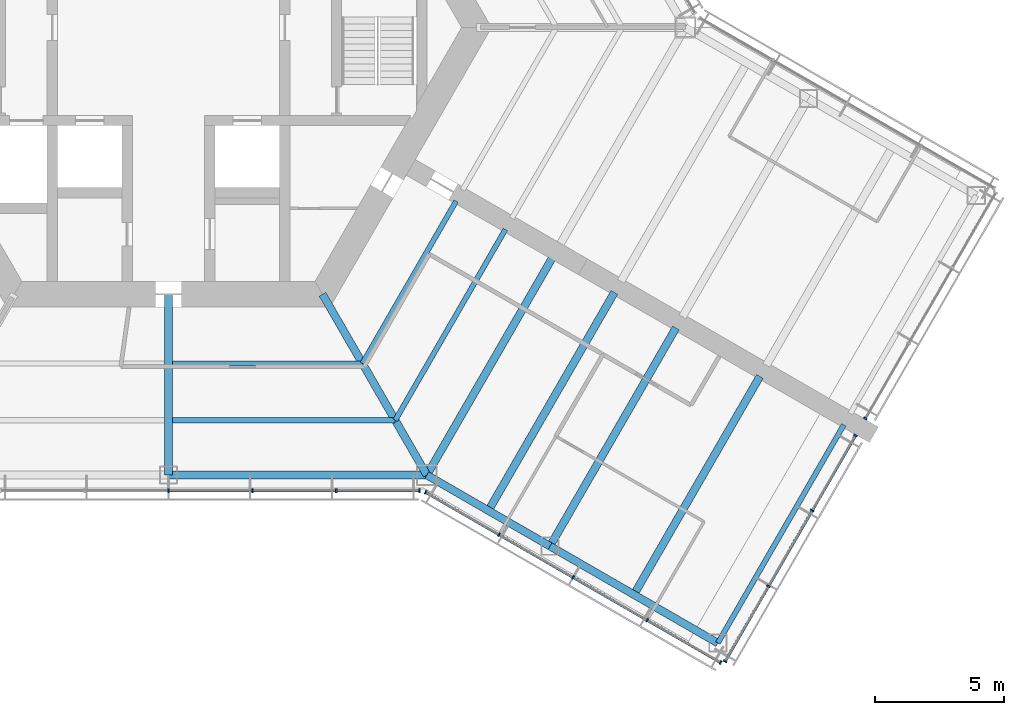
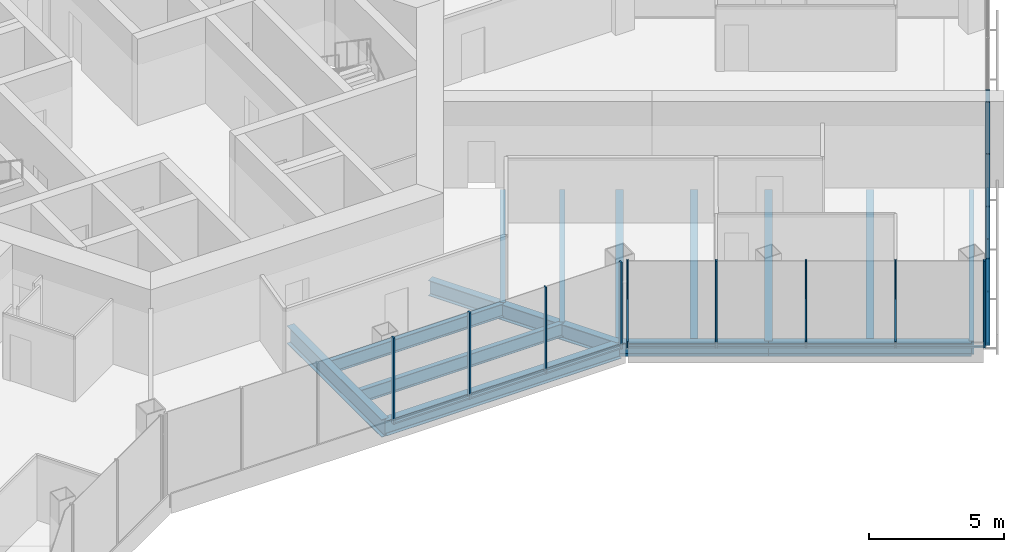
# One storey, part 5 of 18: 24 members, 14 beams, 4 elements without a shape of their own.
"""IFC4 building model written with IfcOpenShell, lengths in metres."""

from ifc_helpers import new_model, si_unit, direction, frame, origin, origin_2d, place, context, subcontext, project, spatial, rectangle, i_section, extrude, material, material_profile, profile_set, type_object, element, aggregate, save


model = new_model("IFC4")

# Units and contexts
model_context = context("Model", 3, precision=1e-05, world=origin(), true_north=direction((0.0, 1.0)))
body_context = subcontext(model_context, "Body", "Model", "MODEL_VIEW")
ifc_project = project(units=[si_unit("LENGTHUNIT", "METRE"), si_unit("AREAUNIT", "SQUARE_METRE"), si_unit("VOLUMEUNIT", "CUBIC_METRE"), si_unit("PLANEANGLEUNIT", "RADIAN"), si_unit("MASSUNIT", "GRAM", prefix="KILO")], contexts=[model_context])

# Site, building, storey
site_placement = place(None, origin())
site = spatial("IfcSite", under=ifc_project, at=site_placement, CompositionType="ELEMENT")
building_placement = place(site_placement, origin())
building = spatial("IfcBuilding", under=site, at=building_placement, Name="Kasaneha Research Tower", CompositionType="ELEMENT")
storey_placement = place(building_placement, frame((0.0, 0.0, 144.800048828125)))
storey = spatial("IfcBuildingStorey", under=building, at=storey_placement, Name="L36", CompositionType="ELEMENT", Elevation=144.800048828125)

# Beams
ifc_material_1 = material(Name="Steel SN490B", Category="steel")
ifc_material_profile_1 = material_profile(ifc_material_1, i_section(OverallWidth=0.199951171875, OverallDepth=0.60009765625, WebThickness=0.010986328125, FlangeThickness=0.01708984375, FilletRadius=0.012939453125, at=origin_2d()), Name="H-600x200x11x17")
ifc_profile_set_1 = profile_set([ifc_material_profile_1], Name="Steel SN490B")
beam_type_1 = type_object("IfcBeamType", Name="B1-3 secondary beam H-600x200x11x17", PredefinedType="JOIST", material=ifc_profile_set_1)
beam_1_placement = place(storey_placement, frame((7.505615234375, -13.0, -0.449951171875), z_axis=(-1.0, 0.0, 0.0), x_axis=(0.0, -1.0, 0.0)))
element("IfcBeam", 1, at=beam_1_placement, inside=storey, type_object=beam_type_1, Name="Secondary beam RS270R1 L36", PredefinedType="JOIST", context=body_context, shape_type="SweptSolid", body=[
    extrude(i_section(OverallWidth=0.199951171875, OverallDepth=0.60009765625, WebThickness=0.010986328125, FlangeThickness=0.01708984375, FilletRadius=0.012939453125, at=origin_2d()), origin(), (0.0, 0.0, 1.0), 7.355712890625),
])
beam_2_placement = place(storey_placement, frame((8.775634765625, -15.199951171875, -0.449951171875), z_axis=(-1.0, 0.0, 0.0), x_axis=(0.0, -1.0, 0.0)))
element("IfcBeam", 2, at=beam_2_placement, inside=storey, type_object=beam_type_1, Name="Secondary beam RS270R2 L36", PredefinedType="JOIST", context=body_context, shape_type="SweptSolid", body=[
    extrude(i_section(OverallWidth=0.199951171875, OverallDepth=0.60009765625, WebThickness=0.010986328125, FlangeThickness=0.01708984375, FilletRadius=0.012939453125, at=origin_2d()), origin(), (0.0, 0.0, 1.0), 8.625732421875),
])
beam_3_placement = place(storey_placement, frame((7.505615234375, -13.0, -0.449951171875), z_axis=(0.499993340521, 0.866029248602, 0.0), x_axis=(-0.866029248602, 0.499993340521, 0.0)))
element("IfcBeam", 3, at=beam_3_placement, inside=storey, type_object=beam_type_1, Name="Secondary beam RS330L1 L36", PredefinedType="JOIST", context=body_context, shape_type="SweptSolid", body=[
    extrude(i_section(OverallWidth=0.199951171875, OverallDepth=0.60009765625, WebThickness=0.010986328125, FlangeThickness=0.01708984375, FilletRadius=0.012939453125, at=origin_2d()), origin(), (0.0, 0.0, 1.0), 7.25537109375),
])
beam_4_placement = place(storey_placement, frame((8.775634765625, -15.199951171875, -0.449951171875), z_axis=(0.500004205306, 0.866022975836, 0.0), x_axis=(-0.866022975836, 0.500004205306, 0.0)))
element("IfcBeam", 4, at=beam_4_placement, inside=storey, type_object=beam_type_1, Name="Secondary beam RS330L2 L36", PredefinedType="JOIST", context=body_context, shape_type="SweptSolid", body=[
    extrude(i_section(OverallWidth=0.199951171875, OverallDepth=0.60009765625, WebThickness=0.010986328125, FlangeThickness=0.01708984375, FilletRadius=0.012939453125, at=origin_2d()), origin(), (0.0, 0.0, 1.0), 8.52587890625),
])
ifc_material_2 = material(Name="Steel SN490B", Category="steel")
ifc_material_profile_2 = material_profile(ifc_material_2, i_section(OverallWidth=0.300048828125, OverallDepth=0.58203125, WebThickness=0.011962890625, FlangeThickness=0.01708984375, FilletRadius=0.012939453125, at=origin_2d()), Name="H-582x300x12x17")
ifc_profile_set_2 = profile_set([ifc_material_profile_2], Name="Steel SN490B")
beam_type_2 = type_object("IfcBeamType", Name="B2-3 secondary beam H-582x300x12x17", PredefinedType="JOIST", material=ifc_profile_set_2)
for number, where, z_axis, x_axis, name in (
    (5, (12.381591796875, -18.695556640625, -0.441162109375), (0.499995560238, 0.866027967067, 0.0), (-0.866027967067, 0.499995560238, 0.0), "Secondary beam WBCP1 L36"),
    (6, (18.0107421875, -21.945556640625, -0.441162109375), (0.499995560238, 0.866027967067, 0.0), (-0.866027967067, 0.499995560238, 0.0), "Secondary beam WBCP2 L36"),
):
    element("IfcBeam", number, at=place(storey_placement, frame(where, z_axis=z_axis, x_axis=x_axis)), inside=storey, type_object=beam_type_2, Name=name, PredefinedType="JOIST", context=body_context, shape_type="SweptSolid", body=[
        extrude(i_section(OverallWidth=0.300048828125, OverallDepth=0.58203125, WebThickness=0.011962890625, FlangeThickness=0.01708984375, FilletRadius=0.012939453125, at=origin_2d()), origin(), (0.0, 0.0, 1.0), 9.75),
    ])

# Curtain wall, members
ifc_material_3 = material(Name="Glass and aluminium", Category="aluminium")
curtain_wall_type = type_object("IfcCurtainWallType", Name="Mid-rise office curtain wall", PredefinedType="USERDEFINED", material=ifc_material_3)
curtain_wall_1_placement = place(storey_placement, origin())
curtain_wall_1 = element("IfcCurtainWall", 7, at=curtain_wall_1_placement, inside=storey, type_object=curtain_wall_type, Name="CW-O2 L36 run 01a", ObjectType="UNITISED CURTAIN WALL", PredefinedType="USERDEFINED")
ifc_material_4 = material(Name="Aluminium 6063-T6", Category="aluminium")
ifc_material_profile_3 = material_profile(ifc_material_4, rectangle(XDim=0.06005859375, YDim=0.14990234375, at=origin_2d()), Name="CW-O2 mullion 60x150")
ifc_profile_set_3 = profile_set([ifc_material_profile_3], Name="Aluminium 6063-T6")
member_type_1 = type_object("IfcMemberType", Name="CW-O2 mullion", PredefinedType="MULLION", material=ifc_profile_set_3)
member_1_placement = place(storey_placement, frame((0.0, -17.92041015625, 0.0), z_axis=(0.0, 0.0, 1.0), x_axis=(1.0, 0.0, 0.0)))
member_1 = element("IfcMember", 8, at=member_1_placement, type_object=member_type_1, Name="CW-O2 mullion 4", PredefinedType="MULLION", context=body_context, shape_type="SweptSolid", body=[
    extrude(rectangle(XDim=0.06005859375, YDim=0.14990234375, at=origin_2d()), origin(), (0.0, 0.0, 1.0), 3.89990234375),
])
member_2_placement = place(storey_placement, frame((3.246337890625, -17.92041015625, 0.0), z_axis=(0.0, 0.0, 1.0), x_axis=(1.0, 0.0, 0.0)))
member_2 = element("IfcMember", 9, at=member_2_placement, type_object=member_type_1, Name="CW-O2 mullion 5", PredefinedType="MULLION", context=body_context, shape_type="SweptSolid", body=[
    extrude(rectangle(XDim=0.06005859375, YDim=0.14990234375, at=origin_2d()), origin(), (0.0, 0.0, 1.0), 3.89990234375),
])
member_3_placement = place(storey_placement, frame((6.492919921875, -17.92041015625, 0.0), z_axis=(0.0, 0.0, 1.0), x_axis=(1.0, 0.0, 0.0)))
member_3 = element("IfcMember", 10, at=member_3_placement, type_object=member_type_1, Name="CW-O2 mullion 6", PredefinedType="MULLION", context=body_context, shape_type="SweptSolid", body=[
    extrude(rectangle(XDim=0.06005859375, YDim=0.14990234375, at=origin_2d()), origin(), (0.0, 0.0, 1.0), 3.89990234375),
])
member_4_placement = place(storey_placement, frame((9.709228515625, -17.92041015625, 0.0), z_axis=(0.0, 0.0, 1.0), x_axis=(1.0, 0.0, 0.0)))
member_4 = element("IfcMember", 11, at=member_4_placement, type_object=member_type_1, Name="CW-O2 mullion 7", PredefinedType="MULLION", context=body_context, shape_type="SweptSolid", body=[
    extrude(rectangle(XDim=0.06005859375, YDim=0.14990234375, at=origin_2d()), origin(), (0.0, 0.0, 1.0), 3.89990234375),
])

curtain_wall_2_placement = place(storey_placement, origin())
curtain_wall_2 = element("IfcCurtainWall", 12, at=curtain_wall_2_placement, inside=storey, type_object=curtain_wall_type, Name="CW-O2 L36 run 02a", ObjectType="UNITISED CURTAIN WALL", PredefinedType="USERDEFINED")
member_5_placement = place(storey_placement, frame((9.951904296875, -17.985595703125, 0.0), z_axis=(0.0, 0.0, 1.0), x_axis=(0.866025411464, -0.499999986699, 0.0)))
member_5 = element("IfcMember", 13, at=member_5_placement, type_object=member_type_1, Name="CW-O2 mullion 1", PredefinedType="MULLION", context=body_context, shape_type="SweptSolid", body=[
    extrude(rectangle(XDim=0.06005859375, YDim=0.14990234375, at=origin_2d()), origin(), (0.0, 0.0, 1.0), 3.89990234375),
])
member_6_placement = place(storey_placement, frame((12.792236328125, -19.62548828125, 0.0), z_axis=(0.0, 0.0, 1.0), x_axis=(0.866025411464, -0.499999986699, 0.0)))
member_6 = element("IfcMember", 14, at=member_6_placement, type_object=member_type_1, Name="CW-O2 mullion 2", PredefinedType="MULLION", context=body_context, shape_type="SweptSolid", body=[
    extrude(rectangle(XDim=0.06005859375, YDim=0.14990234375, at=origin_2d()), origin(), (0.0, 0.0, 1.0), 3.89990234375),
])
member_7_placement = place(storey_placement, frame((15.65869140625, -21.2802734375, 0.0), z_axis=(0.0, 0.0, 1.0), x_axis=(0.866025411464, -0.499999986699, 0.0)))
member_7 = element("IfcMember", 15, at=member_7_placement, type_object=member_type_1, Name="CW-O2 mullion 3", PredefinedType="MULLION", context=body_context, shape_type="SweptSolid", body=[
    extrude(rectangle(XDim=0.06005859375, YDim=0.14990234375, at=origin_2d()), origin(), (0.0, 0.0, 1.0), 3.89990234375),
])
member_8_placement = place(storey_placement, frame((18.52490234375, -22.935302734375, 0.0), z_axis=(0.0, 0.0, 1.0), x_axis=(0.866025411464, -0.499999986699, 0.0)))
member_8 = element("IfcMember", 16, at=member_8_placement, type_object=member_type_1, Name="CW-O2 mullion 4", PredefinedType="MULLION", context=body_context, shape_type="SweptSolid", body=[
    extrude(rectangle(XDim=0.06005859375, YDim=0.14990234375, at=origin_2d()), origin(), (0.0, 0.0, 1.0), 3.89990234375),
])
member_9_placement = place(storey_placement, frame((21.365478515625, -24.5751953125, 0.0), z_axis=(0.0, 0.0, 1.0), x_axis=(0.866025411464, -0.499999986699, 0.0)))
member_9 = element("IfcMember", 17, at=member_9_placement, type_object=member_type_1, Name="CW-O2 mullion 5", PredefinedType="MULLION", context=body_context, shape_type="SweptSolid", body=[
    extrude(rectangle(XDim=0.06005859375, YDim=0.14990234375, at=origin_2d()), origin(), (0.0, 0.0, 1.0), 3.89990234375),
])

curtain_wall_3_placement = place(storey_placement, origin())
curtain_wall_3 = element("IfcCurtainWall", 18, at=curtain_wall_3_placement, inside=storey, type_object=curtain_wall_type, Name="CW-O2 L36 run 03a", ObjectType="UNITISED CURTAIN WALL", PredefinedType="USERDEFINED")
member_10_placement = place(storey_placement, frame((21.54296875, -24.527587890625, 0.0), z_axis=(0.0, 0.0, 1.0), x_axis=(0.500000011442, 0.866025397178, 0.0)))
member_10 = element("IfcMember", 19, at=member_10_placement, type_object=member_type_1, Name="CW-O2 mullion 1", PredefinedType="MULLION", context=body_context, shape_type="SweptSolid", body=[
    extrude(rectangle(XDim=0.06005859375, YDim=0.14990234375, at=origin_2d()), origin(), (0.0, 0.0, 1.0), 3.89990234375),
])
member_11_placement = place(storey_placement, frame((23.2197265625, -21.62353515625, 0.0), z_axis=(0.0, 0.0, 1.0), x_axis=(0.500000011442, 0.866025397178, 0.0)))
member_11 = element("IfcMember", 20, at=member_11_placement, type_object=member_type_1, Name="CW-O2 mullion 2", PredefinedType="MULLION", context=body_context, shape_type="SweptSolid", body=[
    extrude(rectangle(XDim=0.06005859375, YDim=0.14990234375, at=origin_2d()), origin(), (0.0, 0.0, 1.0), 3.89990234375),
])
member_12_placement = place(storey_placement, frame((24.911376953125, -18.693359375, 0.0), z_axis=(0.0, 0.0, 1.0), x_axis=(0.500000011442, 0.866025397178, 0.0)))
member_12 = element("IfcMember", 21, at=member_12_placement, type_object=member_type_1, Name="CW-O2 mullion 3", PredefinedType="MULLION", context=body_context, shape_type="SweptSolid", body=[
    extrude(rectangle(XDim=0.06005859375, YDim=0.14990234375, at=origin_2d()), origin(), (0.0, 0.0, 1.0), 3.89990234375),
])
member_13_placement = place(storey_placement, frame((26.587890625, -15.789306640625, 0.0), z_axis=(0.0, 0.0, 1.0), x_axis=(0.500000011442, 0.866025397178, 0.0)))
member_13 = element("IfcMember", 22, at=member_13_placement, type_object=member_type_1, Name="CW-O2 mullion 4", PredefinedType="MULLION", context=body_context, shape_type="SweptSolid", body=[
    extrude(rectangle(XDim=0.06005859375, YDim=0.14990234375, at=origin_2d()), origin(), (0.0, 0.0, 1.0), 3.89990234375),
])

# Curtain wall, member
curtain_wall_4_placement = place(storey_placement, origin())
curtain_wall_4 = element("IfcCurtainWall", 23, at=curtain_wall_4_placement, inside=storey, type_object=curtain_wall_type, Name="CW-O2 L36 run 04a", ObjectType="UNITISED CURTAIN WALL", PredefinedType="USERDEFINED")
member_14_placement = place(storey_placement, frame((26.968017578125, -15.131103515625, 0.0), z_axis=(0.0, 0.0, 1.0), x_axis=(0.500000011442, 0.866025397178, 0.0)))
member_14 = element("IfcMember", 24, at=member_14_placement, type_object=member_type_1, Name="CW-O2 mullion 1", PredefinedType="MULLION", context=body_context, shape_type="SweptSolid", body=[
    extrude(rectangle(XDim=0.06005859375, YDim=0.14990234375, at=origin_2d()), origin(), (0.0, 0.0, 1.0), 3.89990234375),
])
aggregate(curtain_wall_4, [member_14])

# Member
ifc_material_5 = material(Name="Aluminium 6063-T6", Category="aluminium")
ifc_material_profile_4 = material_profile(ifc_material_5, rectangle(XDim=0.110107421875, YDim=0.06005859375, at=origin_2d()), Name="CW-O2 transom 110x60")
ifc_profile_set_4 = profile_set([ifc_material_profile_4], Name="Aluminium 6063-T6")
member_type_2 = type_object("IfcMemberType", Name="CW-O2 transom", PredefinedType="USERDEFINED", material=ifc_profile_set_4)
member_15_placement = place(storey_placement, frame((0.030029296875, -17.92041015625, 0.030029296875), z_axis=(1.0, 0.0, 0.0), x_axis=(0.0, 1.0, 0.0)))
member_15 = element("IfcMember", 25, at=member_15_placement, type_object=member_type_2, Name="CW-O2 transom 4", ObjectType="TRANSOM", PredefinedType="USERDEFINED", context=body_context, shape_type="SweptSolid", body=[
    extrude(rectangle(XDim=0.110107421875, YDim=0.06005859375, at=origin_2d()), origin(), (0.0, 0.0, 1.0), 3.186279296875),
])

member_16_placement = place(storey_placement, frame((3.2763671875, -17.92041015625, 0.030029296875), z_axis=(1.0, 0.0, 0.0), x_axis=(0.0, 1.0, 0.0)))
member_16 = element("IfcMember", 26, at=member_16_placement, type_object=member_type_2, Name="CW-O2 transom 5", ObjectType="TRANSOM", PredefinedType="USERDEFINED", context=body_context, shape_type="SweptSolid", body=[
    extrude(rectangle(XDim=0.110107421875, YDim=0.06005859375, at=origin_2d()), origin(), (0.0, 0.0, 1.0), 3.1865234375),
])

member_17_placement = place(storey_placement, frame((6.522705078125, -17.92041015625, 0.030029296875), z_axis=(1.0, 0.0, 0.0), x_axis=(0.0, 1.0, 0.0)))
member_17 = element("IfcMember", 27, at=member_17_placement, type_object=member_type_2, Name="CW-O2 transom 6", ObjectType="TRANSOM", PredefinedType="USERDEFINED", context=body_context, shape_type="SweptSolid", body=[
    extrude(rectangle(XDim=0.110107421875, YDim=0.06005859375, at=origin_2d()), origin(), (0.0, 0.0, 1.0), 3.156494140625),
])

aggregate(curtain_wall_1, [member_1, member_2, member_3, member_4, member_15, member_16, member_17])

member_18_placement = place(storey_placement, frame((9.977783203125, -18.00048828125, 0.030029296875), z_axis=(0.866022692473, -0.500004696101, 0.0), x_axis=(0.500004696101, 0.866022692473, 0.0)))
member_18 = element("IfcMember", 28, at=member_18_placement, type_object=member_type_2, Name="CW-O2 transom 1", ObjectType="TRANSOM", PredefinedType="USERDEFINED", context=body_context, shape_type="SweptSolid", body=[
    extrude(rectangle(XDim=0.110107421875, YDim=0.06005859375, at=origin_2d()), origin(), (0.0, 0.0, 1.0), 3.2197265625),
])

member_19_placement = place(storey_placement, frame((12.818115234375, -19.640380859375, 0.030029296875), z_axis=(0.866015446554, -0.500017246033, 0.0), x_axis=(0.500017246033, 0.866015446554, 0.0)))
member_19 = element("IfcMember", 29, at=member_19_placement, type_object=member_type_2, Name="CW-O2 transom 2", ObjectType="TRANSOM", PredefinedType="USERDEFINED", context=body_context, shape_type="SweptSolid", body=[
    extrude(rectangle(XDim=0.110107421875, YDim=0.06005859375, at=origin_2d()), origin(), (0.0, 0.0, 1.0), 3.25),
])

member_20_placement = place(storey_placement, frame((15.6845703125, -21.29541015625, 0.030029296875), z_axis=(0.86604797581, -0.499960902066, 0.0), x_axis=(0.499960902066, 0.86604797581, 0.0)))
member_20 = element("IfcMember", 30, at=member_20_placement, type_object=member_type_2, Name="CW-O2 transom 3", ObjectType="TRANSOM", PredefinedType="USERDEFINED", context=body_context, shape_type="SweptSolid", body=[
    extrude(rectangle(XDim=0.110107421875, YDim=0.06005859375, at=origin_2d()), origin(), (0.0, 0.0, 1.0), 3.249755859375),
])

member_21_placement = place(storey_placement, frame((18.551025390625, -22.9501953125, 0.030029296875), z_axis=(0.866022692473, -0.500004696101, 0.0), x_axis=(0.500004696101, 0.866022692473, 0.0)))
member_21 = element("IfcMember", 31, at=member_21_placement, type_object=member_type_2, Name="CW-O2 transom 4", ObjectType="TRANSOM", PredefinedType="USERDEFINED", context=body_context, shape_type="SweptSolid", body=[
    extrude(rectangle(XDim=0.110107421875, YDim=0.06005859375, at=origin_2d()), origin(), (0.0, 0.0, 1.0), 3.2197265625),
])

aggregate(curtain_wall_2, [member_5, member_6, member_7, member_8, member_9, member_18, member_19, member_20, member_21])

member_22_placement = place(storey_placement, frame((21.557861328125, -24.50146484375, 0.030029296875), z_axis=(0.500021914551, 0.866012751043, 0.0), x_axis=(-0.866012751043, 0.500021914551, 0.0)))
member_22 = element("IfcMember", 32, at=member_22_placement, type_object=member_type_2, Name="CW-O2 transom 1", ObjectType="TRANSOM", PredefinedType="USERDEFINED", context=body_context, shape_type="SweptSolid", body=[
    extrude(rectangle(XDim=0.110107421875, YDim=0.06005859375, at=origin_2d()), origin(), (0.0, 0.0, 1.0), 3.293212890625),
])

member_23_placement = place(storey_placement, frame((23.234619140625, -21.597412109375, 0.030029296875), z_axis=(0.500010745865, 0.866019199568, 0.0), x_axis=(-0.866019199568, 0.500010745865, 0.0)))
member_23 = element("IfcMember", 33, at=member_23_placement, type_object=member_type_2, Name="CW-O2 transom 2", ObjectType="TRANSOM", PredefinedType="USERDEFINED", context=body_context, shape_type="SweptSolid", body=[
    extrude(rectangle(XDim=0.110107421875, YDim=0.06005859375, at=origin_2d()), origin(), (0.0, 0.0, 1.0), 3.3232421875),
])

member_24_placement = place(storey_placement, frame((24.92626953125, -18.66748046875, 0.030029296875), z_axis=(0.500021914551, 0.866012751043, 0.0), x_axis=(-0.866012751043, 0.500021914551, 0.0)))
member_24 = element("IfcMember", 34, at=member_24_placement, type_object=member_type_2, Name="CW-O2 transom 3", ObjectType="TRANSOM", PredefinedType="USERDEFINED", context=body_context, shape_type="SweptSolid", body=[
    extrude(rectangle(XDim=0.110107421875, YDim=0.06005859375, at=origin_2d()), origin(), (0.0, 0.0, 1.0), 3.293212890625),
])

aggregate(curtain_wall_3, [member_10, member_11, member_12, member_13, member_22, member_23, member_24])

# Beams
ifc_material_6 = material(Name="Steel SN490B", Category="steel")
ifc_material_profile_5 = material_profile(ifc_material_6, i_section(OverallWidth=0.300048828125, OverallDepth=0.699951171875, WebThickness=0.012939453125, FlangeThickness=0.02392578125, FilletRadius=0.01806640625, at=origin_2d()), Name="H-700x300x13x24")
ifc_profile_set_5 = profile_set([ifc_material_profile_5], Name="Steel SN490B")
beam_type_3 = type_object("IfcBeamType", Name="G1-3 radial girder H-700x300x13x24", PredefinedType="BEAM", material=ifc_profile_set_5)
beam_5_placement = place(storey_placement, frame((5.961181640625, -10.324951171875, -0.5), z_axis=(0.49999105496, -0.866030568144, 0.0), x_axis=(0.866030568144, 0.49999105496, 0.0)))
element("IfcBeam", 35, at=beam_5_placement, inside=storey, type_object=beam_type_3, Name="Radial girder RV300 L36", PredefinedType="BEAM", context=body_context, shape_type="SweptSolid", body=[
    extrude(i_section(OverallWidth=0.300048828125, OverallDepth=0.699951171875, WebThickness=0.012939453125, FlangeThickness=0.02392578125, FilletRadius=0.01806640625, at=origin_2d()), origin(), (0.0, 0.0, 1.0), 8.077880859375),
])
ifc_material_7 = material(Name="Steel SN490B", Category="steel")
ifc_material_profile_6 = material_profile(ifc_material_7, i_section(OverallWidth=0.300048828125, OverallDepth=0.800048828125, WebThickness=0.013916015625, FlangeThickness=0.02587890625, FilletRadius=0.01806640625, at=origin_2d()), Name="H-800x300x14x26")
ifc_profile_set_6 = profile_set([ifc_material_profile_6], Name="Steel SN490B")
beam_type_4 = type_object("IfcBeamType", Name="G2-3 radial girder H-800x300x14x26", PredefinedType="BEAM", material=ifc_profile_set_6)
beam_6_placement = place(storey_placement, frame((0.0, -10.324951171875, -0.550048828125), z_axis=(0.0, -1.0, 0.0), x_axis=(1.0, 0.0, 0.0)))
element("IfcBeam", 36, at=beam_6_placement, inside=storey, type_object=beam_type_4, Name="Radial girder RM270 L36", PredefinedType="BEAM", context=body_context, shape_type="SweptSolid", body=[
    extrude(i_section(OverallWidth=0.300048828125, OverallDepth=0.800048828125, WebThickness=0.013916015625, FlangeThickness=0.02587890625, FilletRadius=0.01806640625, at=origin_2d()), origin(), (0.0, 0.0, 1.0), 6.99560546875),
])
ifc_material_8 = material(Name="Steel SN490B", Category="steel")
ifc_material_profile_7 = material_profile(ifc_material_8, i_section(OverallWidth=0.300048828125, OverallDepth=0.69189453125, WebThickness=0.012939453125, FlangeThickness=0.02001953125, FilletRadius=0.01806640625, at=origin_2d()), Name="H-692x300x13x20")
ifc_profile_set_7 = profile_set([ifc_material_profile_7], Name="Steel SN490B")
beam_type_5 = type_object("IfcBeamType", Name="G3-3 plate edge girder H-692x300x13x20", PredefinedType="BEAM", material=ifc_profile_set_7)
beam_7_placement = place(storey_placement, frame((10.0, -17.320556640625, -0.49609375), z_axis=(0.499995560238, 0.866027967067, 0.0), x_axis=(-0.866027967067, 0.499995560238, 0.0)))
element("IfcBeam", 37, at=beam_7_placement, inside=storey, type_object=beam_type_5, Name="Plate edge girder PECP L36", PredefinedType="BEAM", context=body_context, shape_type="SweptSolid", body=[
    extrude(i_section(OverallWidth=0.300048828125, OverallDepth=0.69189453125, WebThickness=0.012939453125, FlangeThickness=0.02001953125, FilletRadius=0.01806640625, at=origin_2d()), origin(), (0.0, 0.0, 1.0), 9.75),
])
ifc_material_9 = material(Name="Steel SN490B", Category="steel")
ifc_material_profile_8 = material_profile(ifc_material_9, i_section(OverallWidth=0.300048828125, OverallDepth=0.699951171875, WebThickness=0.012939453125, FlangeThickness=0.02392578125, FilletRadius=0.01806640625, at=origin_2d()), Name="H-700x300x13x24")
ifc_profile_set_8 = profile_set([ifc_material_profile_8], Name="Steel SN490B")
beam_type_6 = type_object("IfcBeamType", Name="G4-3 wing girder H-700x300x13x24", PredefinedType="BEAM", material=ifc_profile_set_8)
beam_8_placement = place(storey_placement, frame((14.76318359375, -20.070556640625, -0.5), z_axis=(0.499995560238, 0.866027967067, 0.0), x_axis=(-0.866027967067, 0.499995560238, 0.0)))
element("IfcBeam", 38, at=beam_8_placement, inside=storey, type_object=beam_type_6, Name="Wing girder WGCP L36", PredefinedType="BEAM", context=body_context, shape_type="SweptSolid", body=[
    extrude(i_section(OverallWidth=0.300048828125, OverallDepth=0.699951171875, WebThickness=0.012939453125, FlangeThickness=0.02392578125, FilletRadius=0.01806640625, at=origin_2d()), origin(), (0.0, 0.0, 1.0), 9.75),
])
ifc_material_10 = material(Name="Steel SN490B", Category="steel")
ifc_material_profile_9 = material_profile(ifc_material_10, i_section(OverallWidth=0.300048828125, OverallDepth=0.69189453125, WebThickness=0.012939453125, FlangeThickness=0.02001953125, FilletRadius=0.01806640625, at=origin_2d()), Name="H-692x300x13x20")
ifc_profile_set_9 = profile_set([ifc_material_profile_9], Name="Steel SN490B")
beam_type_7 = type_object("IfcBeamType", Name="SB1-3 spandrel beam H-692x300x13x20", PredefinedType="SPANDREL", material=ifc_profile_set_9)
beam_9_placement = place(storey_placement, frame((10.0, -17.320556640625, -0.49609375), z_axis=(-1.0, 0.0, 0.0), x_axis=(0.0, -1.0, 0.0)))
element("IfcBeam", 39, at=beam_9_placement, inside=storey, type_object=beam_type_7, Name="Spandrel beam SR270R L36", PredefinedType="SPANDREL", context=body_context, shape_type="SweptSolid", body=[
    extrude(i_section(OverallWidth=0.300048828125, OverallDepth=0.69189453125, WebThickness=0.012939453125, FlangeThickness=0.02001953125, FilletRadius=0.01806640625, at=origin_2d()), origin(), (0.0, 0.0, 1.0), 10.0),
])
ifc_material_11 = material(Name="Steel SN490B", Category="steel")
ifc_material_profile_10 = material_profile(ifc_material_11, i_section(OverallWidth=0.300048828125, OverallDepth=0.58203125, WebThickness=0.011962890625, FlangeThickness=0.01708984375, FilletRadius=0.012939453125, at=origin_2d()), Name="H-582x300x12x17")
ifc_profile_set_10 = profile_set([ifc_material_profile_10], Name="Steel SN490B")
beam_type_8 = type_object("IfcBeamType", Name="SB2-3 spandrel beam H-582x300x12x17", PredefinedType="SPANDREL", material=ifc_profile_set_10)
beam_10_placement = place(storey_placement, frame((10.0, -17.320556640625, -0.441162109375), z_axis=(0.866027397988, -0.499996545922, 0.0), x_axis=(0.499996545922, 0.866027397988, 0.0)))
element("IfcBeam", 40, at=beam_10_placement, inside=storey, type_object=beam_type_8, Name="Spandrel beam WSCP1 L36", PredefinedType="SPANDREL", context=body_context, shape_type="SweptSolid", body=[
    extrude(i_section(OverallWidth=0.300048828125, OverallDepth=0.58203125, WebThickness=0.011962890625, FlangeThickness=0.01708984375, FilletRadius=0.012939453125, at=origin_2d()), origin(), (0.0, 0.0, 1.0), 5.5),
])
beam_11_placement = place(storey_placement, frame((14.76318359375, -20.070556640625, -0.441162109375), z_axis=(0.866022959057, -0.500004234368, 0.0), x_axis=(0.500004234368, 0.866022959057, 0.0)))
element("IfcBeam", 41, at=beam_11_placement, inside=storey, type_object=beam_type_8, Name="Spandrel beam WSCP2 L36", PredefinedType="SPANDREL", context=body_context, shape_type="SweptSolid", body=[
    extrude(i_section(OverallWidth=0.300048828125, OverallDepth=0.58203125, WebThickness=0.011962890625, FlangeThickness=0.01708984375, FilletRadius=0.012939453125, at=origin_2d()), origin(), (0.0, 0.0, 1.0), 7.5),
])
ifc_material_12 = material(Name="Steel SN490B", Category="steel")
ifc_material_profile_11 = material_profile(ifc_material_12, i_section(OverallWidth=0.199951171875, OverallDepth=0.60009765625, WebThickness=0.010986328125, FlangeThickness=0.01708984375, FilletRadius=0.012939453125, at=origin_2d()), Name="H-600x200x11x17")
ifc_profile_set_11 = profile_set([ifc_material_profile_11], Name="Steel SN490B")
beam_type_9 = type_object("IfcBeamType", Name="SB3-3 spandrel beam H-600x200x11x17", PredefinedType="SPANDREL", material=ifc_profile_set_11)
beam_12_placement = place(storey_placement, frame((21.25830078125, -23.820556640625, -0.449951171875), z_axis=(0.499995560238, 0.866027967067, 0.0), x_axis=(-0.866027967067, 0.499995560238, 0.0)))
element("IfcBeam", 42, at=beam_12_placement, inside=storey, type_object=beam_type_9, Name="Spandrel beam WTCP L36", PredefinedType="SPANDREL", context=body_context, shape_type="SweptSolid", body=[
    extrude(i_section(OverallWidth=0.199951171875, OverallDepth=0.60009765625, WebThickness=0.010986328125, FlangeThickness=0.01708984375, FilletRadius=0.012939453125, at=origin_2d()), origin(), (0.0, 0.0, 1.0), 9.75),
])

save(model, "model.ifc")
